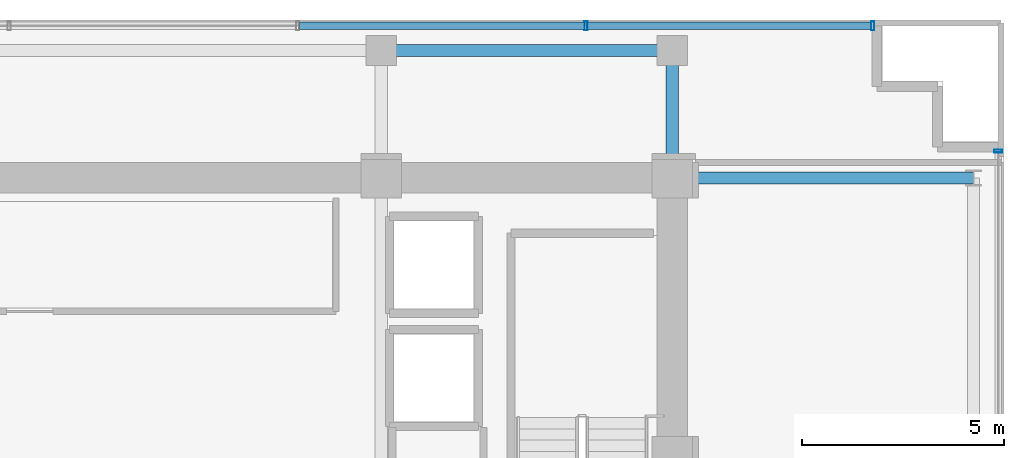
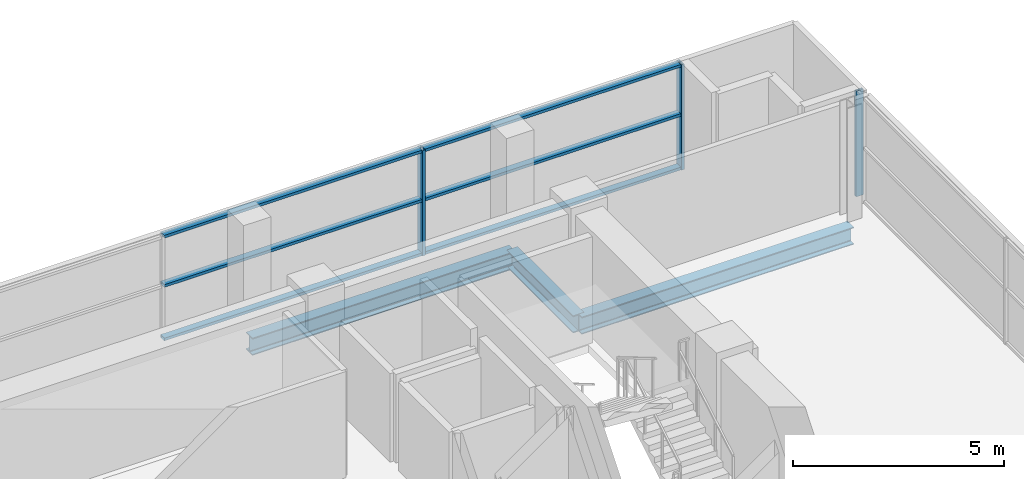
# One storey, part 12 of 21: 9 members, 3 beams, 2 elements without a shape of their own.
"""IFC4 building model written with IfcOpenShell, lengths in metres."""

from ifc_helpers import new_model, si_unit, direction, frame, origin, origin_2d, place, context, subcontext, project, spatial, hollow_rectangle, i_section, extrude, source, transform, mapped, material, layer, layer_set, material_profile, profile_set, type_object, element, aggregate, save


model = new_model("IFC4")

# Units and contexts
model_context = context("Model", 3, precision=1e-05, world=origin(), true_north=direction((0.0, 1.0)))
body_context = subcontext(model_context, "Body", "Model", "MODEL_VIEW")
ifc_project = project(units=[si_unit("LENGTHUNIT", "METRE"), si_unit("AREAUNIT", "SQUARE_METRE"), si_unit("VOLUMEUNIT", "CUBIC_METRE"), si_unit("PLANEANGLEUNIT", "RADIAN"), si_unit("MASSUNIT", "GRAM", prefix="KILO")], contexts=[model_context])

# Site, building, storey
site_placement = place(None, origin())
site = spatial("IfcSite", under=ifc_project, at=site_placement, CompositionType="ELEMENT")
building_placement = place(site_placement, origin())
building = spatial("IfcBuilding", under=site, at=building_placement, Name="Zarnakvel Exchange Tower", CompositionType="ELEMENT")
storey_placement = place(building_placement, frame((0.0, 0.0, 166.0)))
storey = spatial("IfcBuildingStorey", under=building, at=storey_placement, Name="L46", CompositionType="ELEMENT", Elevation=166.0)

# Beams
ifc_material_1 = material(Name="Steel S355", Category="steel")
ifc_material_profile_1 = material_profile(ifc_material_1, i_section(OverallWidth=0.300048828125, OverallDepth=0.5, WebThickness=0.014404296875, FlangeThickness=0.028076171875, FilletRadius=0.027099609375, at=origin_2d()))
ifc_profile_set_1 = profile_set([ifc_material_profile_1], Name="Steel S355")
beam_type_1 = type_object("IfcBeamType", Name="G-06", PredefinedType="BEAM", material=ifc_profile_set_1)
beam_1_placement = place(storey_placement, frame((14.39990234375, 13.5, -0.47509765625), z_axis=(1.0, 0.0, 0.0), x_axis=(0.0, 1.0, 0.0)))
element("IfcBeam", 1, at=beam_1_placement, inside=storey, type_object=beam_type_1, Name="L46 Tower E-W Frame Beam", PredefinedType="BEAM", context=body_context, shape_type="SweptSolid", body=[
    extrude(i_section(OverallWidth=0.300048828125, OverallDepth=0.5, WebThickness=0.014404296875, FlangeThickness=0.028076171875, FilletRadius=0.027099609375, at=origin_2d()), origin(), (0.0, 0.0, 1.0), 7.4501953125),
])
beam_2_placement = place(storey_placement, frame((14.39990234375, 13.5, -0.47509765625), z_axis=(0.0, 1.0, 0.0), x_axis=(-1.0, 0.0, 0.0)))
element("IfcBeam", 2, at=beam_2_placement, inside=storey, type_object=beam_type_1, Name="L46 Tower N-S Frame Beam", PredefinedType="BEAM", context=body_context, shape_type="SweptSolid", body=[
    extrude(i_section(OverallWidth=0.300048828125, OverallDepth=0.5, WebThickness=0.014404296875, FlangeThickness=0.028076171875, FilletRadius=0.027099609375, at=origin_2d()), origin(), (0.0, 0.0, 1.0), 3.14990234375),
])
ifc_material_profile_2 = material_profile(ifc_material_1, i_section(OverallWidth=0.300048828125, OverallDepth=0.5, WebThickness=0.014404296875, FlangeThickness=0.028076171875, FilletRadius=0.027099609375, at=origin_2d()))
ifc_profile_set_2 = profile_set([ifc_material_profile_2], Name="Steel S355")
beam_type_2 = type_object("IfcBeamType", Name="SP-02", PredefinedType="SPANDREL", material=ifc_profile_set_2)
beam_3_placement = place(storey_placement, frame((7.199951171875, 16.64990234375, -0.47509765625), z_axis=(1.0, 0.0, 0.0), x_axis=(0.0, 1.0, 0.0)))
element("IfcBeam", 3, at=beam_3_placement, inside=storey, type_object=beam_type_2, Name="L46 Tower E-W Frame Beam", PredefinedType="SPANDREL", context=body_context, shape_type="SweptSolid", body=[
    extrude(i_section(OverallWidth=0.300048828125, OverallDepth=0.5, WebThickness=0.014404296875, FlangeThickness=0.028076171875, FilletRadius=0.027099609375, at=origin_2d()), origin(), (0.0, 0.0, 1.0), 7.199951171875),
])

# Curtain wall, member
ifc_material_2 = material(Name="Architectural Bronze Anodised Aluminium", Category="aluminium")
ifc_layer_1 = layer(ifc_material_2, 0.199951171875)
ifc_layer_set_1 = layer_set([ifc_layer_1], Name="Architectural Bronze Anodised Aluminium")
curtain_wall_type_1 = type_object("IfcCurtainWallType", Name="CW-04", PredefinedType="NOTDEFINED", material=ifc_layer_set_1)
curtain_wall_1_placement = place(storey_placement, origin())
curtain_wall_1 = element("IfcCurtainWall", 4, at=curtain_wall_1_placement, inside=storey, type_object=curtain_wall_type_1, Name="L46 Curtain Wall CW-L46-E1 (CW-04)", PredefinedType="NOTDEFINED")
ifc_material_profile_3 = material_profile(ifc_material_2, hollow_rectangle(XDim=0.199951171875, YDim=0.074951171875, WallThickness=0.0048828125, at=origin_2d()))
ifc_profile_set_3 = profile_set([ifc_material_profile_3], Name="Architectural Bronze Anodised Aluminium")
member_type_1 = type_object("IfcMemberType", Name="CWM-04", PredefinedType="MULLION", material=ifc_profile_set_3)
shared_shape_1 = source(origin(), body_context, "Body", "SweptSolid", [
    extrude(hollow_rectangle(XDim=0.199951171875, YDim=0.074951171875, WallThickness=0.0048828125, at=origin_2d()), origin(), (0.0, 0.0, 1.0), 3.054931640625),
])
member_1_placement = place(storey_placement, frame((22.4599609375, 14.16259765625, 0.0), z_axis=(0.0, 0.0, 1.0), x_axis=(-1.0, 0.0, 0.0)))
member_1 = element("IfcMember", 5, at=member_1_placement, type_object=member_type_1, Name="CW-04 mullion 5", PredefinedType="MULLION", context=body_context, shape_type="MappedRepresentation", body=[
    mapped(shared_shape_1, transform((0.0, 0.0, 0.0), x_axis=(1.0, 0.0, 0.0), y_axis=(0.0, 1.0, 0.0), z_axis=(0.0, 0.0, 1.0), scale=1.0)),
])
aggregate(curtain_wall_1, [member_1])

# Curtain wall, members
ifc_layer_2 = layer(ifc_material_2, 0.219970703125)
ifc_layer_set_2 = layer_set([ifc_layer_2], Name="Architectural Bronze Anodised Aluminium")
curtain_wall_type_2 = type_object("IfcCurtainWallType", Name="CW-03", PredefinedType="NOTDEFINED", material=ifc_layer_set_2)
curtain_wall_2_placement = place(storey_placement, origin())
curtain_wall_2 = element("IfcCurtainWall", 6, at=curtain_wall_2_placement, inside=storey, type_object=curtain_wall_type_2, Name="L46 Curtain Wall CW-L46-N1 (CW-03)", PredefinedType="NOTDEFINED")
ifc_material_profile_4 = material_profile(ifc_material_2, hollow_rectangle(XDim=0.219970703125, YDim=0.080078125, WallThickness=0.0048828125, at=origin_2d()))
ifc_profile_set_4 = profile_set([ifc_material_profile_4], Name="Architectural Bronze Anodised Aluminium")
member_type_2 = type_object("IfcMemberType", Name="CWM-03", PredefinedType="MULLION", material=ifc_profile_set_4)
shared_shape_2 = source(origin(), body_context, "Body", "SweptSolid", [
    extrude(hollow_rectangle(XDim=0.219970703125, YDim=0.080078125, WallThickness=0.0048828125, at=origin_2d()), origin(), (0.0, 0.0, 1.0), 3.054931640625),
])
member_2_placement = place(storey_placement, frame((12.2666015625, 17.260009765625, 0.0), z_axis=(0.0, 0.0, 1.0), x_axis=(0.0, 1.0, 0.0)))
member_2 = element("IfcMember", 7, at=member_2_placement, type_object=member_type_2, Name="CW-03 mullion 6", PredefinedType="MULLION", context=body_context, shape_type="MappedRepresentation", body=[
    mapped(shared_shape_2, transform((0.0, 0.0, 0.0), x_axis=(1.0, 0.0, 0.0), y_axis=(0.0, 1.0, 0.0), z_axis=(0.0, 0.0, 1.0), scale=1.0)),
])
member_3_placement = place(storey_placement, frame((19.360107421875, 17.260009765625, 0.0), z_axis=(0.0, 0.0, 1.0), x_axis=(0.0, 1.0, 0.0)))
member_3 = element("IfcMember", 8, at=member_3_placement, type_object=member_type_2, Name="CW-03 mullion 7", PredefinedType="MULLION", context=body_context, shape_type="MappedRepresentation", body=[
    mapped(shared_shape_2, transform((0.0, 0.0, 0.0), x_axis=(1.0, 0.0, 0.0), y_axis=(0.0, 1.0, 0.0), z_axis=(0.0, 0.0, 1.0), scale=1.0)),
])
ifc_material_profile_5 = material_profile(ifc_material_2, hollow_rectangle(XDim=0.179931640625, YDim=0.080078125, WallThickness=0.00390625, at=origin_2d()))
ifc_profile_set_5 = profile_set([ifc_material_profile_5], Name="Architectural Bronze Anodised Aluminium")
member_type_3 = type_object("IfcMemberType", Name="CWT-03", PredefinedType="USERDEFINED", material=ifc_profile_set_5)
shared_shape_3 = source(origin(), body_context, "Body", "SweptSolid", [
    extrude(hollow_rectangle(XDim=0.179931640625, YDim=0.080078125, WallThickness=0.00390625, at=origin_2d()), origin(), (0.0, 0.0, 1.0), 7.013427734375),
])
member_4_placement = place(storey_placement, frame((12.306640625, 17.260009765625, 0.0400390625), z_axis=(1.0, 0.0, 0.0), x_axis=(0.0, 1.0, 0.0)))
member_4 = element("IfcMember", 9, at=member_4_placement, type_object=member_type_3, Name="CW-03 transom 6.1", ObjectType="TRANSOM", PredefinedType="USERDEFINED", context=body_context, shape_type="MappedRepresentation", body=[
    mapped(shared_shape_3, transform((0.0, 0.0, 0.0), x_axis=(1.0, 0.0, 0.0), y_axis=(0.0, 1.0, 0.0), z_axis=(0.0, 0.0, 1.0), scale=1.0)),
])
member_5_placement = place(storey_placement, frame((12.306640625, 17.260009765625, 1.588623046875), z_axis=(1.0, 0.0, 0.0), x_axis=(0.0, 1.0, 0.0)))
member_5 = element("IfcMember", 10, at=member_5_placement, type_object=member_type_3, Name="CW-03 transom 6.2", ObjectType="TRANSOM", PredefinedType="USERDEFINED", context=body_context, shape_type="MappedRepresentation", body=[
    mapped(shared_shape_3, transform((0.0, 0.0, 0.0), x_axis=(1.0, 0.0, 0.0), y_axis=(0.0, 1.0, 0.0), z_axis=(0.0, 0.0, 1.0), scale=1.0)),
])
member_6_placement = place(storey_placement, frame((12.306640625, 17.260009765625, 3.014892578125), z_axis=(1.0, 0.0, 0.0), x_axis=(0.0, 1.0, 0.0)))
member_6 = element("IfcMember", 11, at=member_6_placement, type_object=member_type_3, Name="CW-03 transom 6.3", ObjectType="TRANSOM", PredefinedType="USERDEFINED", context=body_context, shape_type="MappedRepresentation", body=[
    mapped(shared_shape_3, transform((0.0, 0.0, 0.0), x_axis=(1.0, 0.0, 0.0), y_axis=(0.0, 1.0, 0.0), z_axis=(0.0, 0.0, 1.0), scale=1.0)),
])
shared_shape_4 = source(origin(), body_context, "Body", "SweptSolid", [
    extrude(hollow_rectangle(XDim=0.179931640625, YDim=0.080078125, WallThickness=0.00390625, at=origin_2d()), origin(), (0.0, 0.0, 1.0), 7.05322265625),
])
member_7_placement = place(storey_placement, frame((5.17333984375, 17.260009765625, 0.0400390625), z_axis=(1.0, 0.0, 0.0), x_axis=(0.0, 1.0, 0.0)))
member_7 = element("IfcMember", 12, at=member_7_placement, type_object=member_type_3, Name="CW-03 transom 5.1", ObjectType="TRANSOM", PredefinedType="USERDEFINED", context=body_context, shape_type="MappedRepresentation", body=[
    mapped(shared_shape_4, transform((0.0, 0.0, 0.0), x_axis=(1.0, 0.0, 0.0), y_axis=(0.0, 1.0, 0.0), z_axis=(0.0, 0.0, 1.0), scale=1.0)),
])
member_8_placement = place(storey_placement, frame((5.17333984375, 17.260009765625, 1.588623046875), z_axis=(1.0, 0.0, 0.0), x_axis=(0.0, 1.0, 0.0)))
member_8 = element("IfcMember", 13, at=member_8_placement, type_object=member_type_3, Name="CW-03 transom 5.2", ObjectType="TRANSOM", PredefinedType="USERDEFINED", context=body_context, shape_type="MappedRepresentation", body=[
    mapped(shared_shape_4, transform((0.0, 0.0, 0.0), x_axis=(1.0, 0.0, 0.0), y_axis=(0.0, 1.0, 0.0), z_axis=(0.0, 0.0, 1.0), scale=1.0)),
])
member_9_placement = place(storey_placement, frame((5.17333984375, 17.260009765625, 3.014892578125), z_axis=(1.0, 0.0, 0.0), x_axis=(0.0, 1.0, 0.0)))
member_9 = element("IfcMember", 14, at=member_9_placement, type_object=member_type_3, Name="CW-03 transom 5.3", ObjectType="TRANSOM", PredefinedType="USERDEFINED", context=body_context, shape_type="MappedRepresentation", body=[
    mapped(shared_shape_4, transform((0.0, 0.0, 0.0), x_axis=(1.0, 0.0, 0.0), y_axis=(0.0, 1.0, 0.0), z_axis=(0.0, 0.0, 1.0), scale=1.0)),
])
aggregate(curtain_wall_2, [member_2, member_3, member_7, member_8, member_9, member_4, member_5, member_6])

save(model, "model.ifc")
